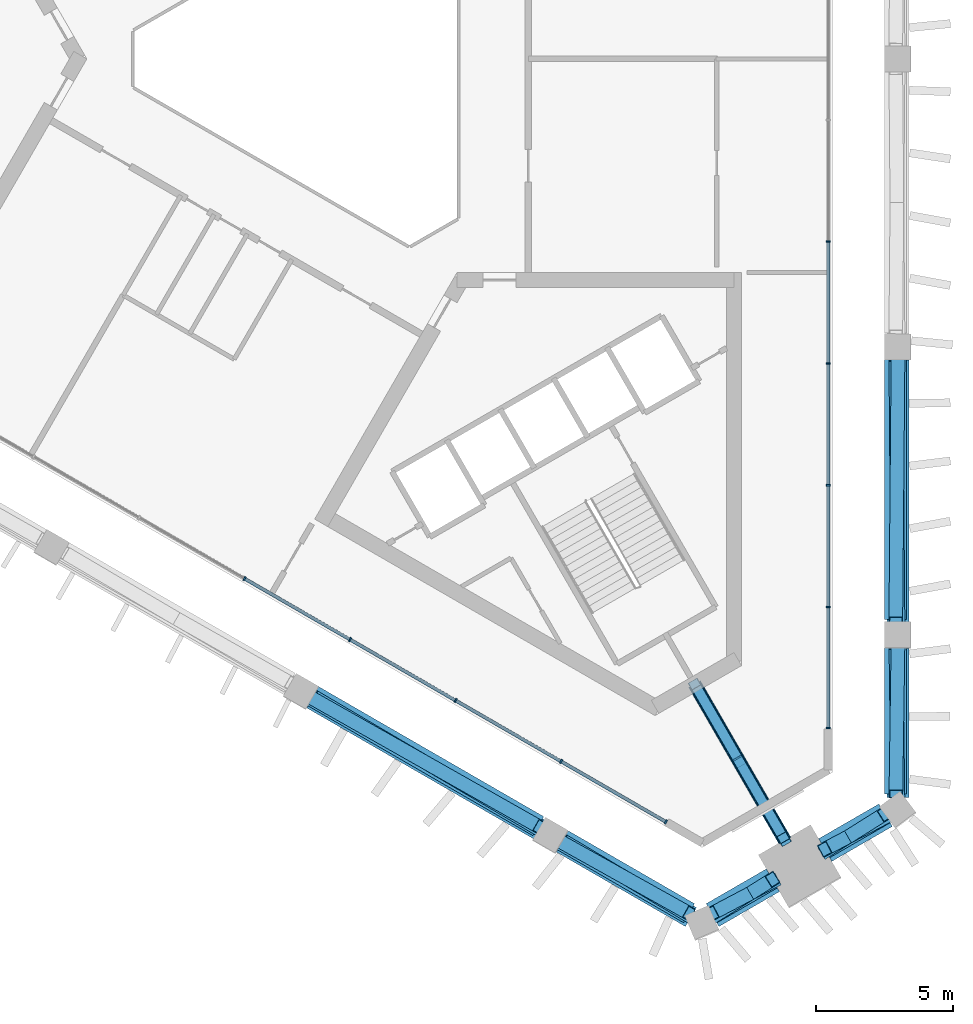
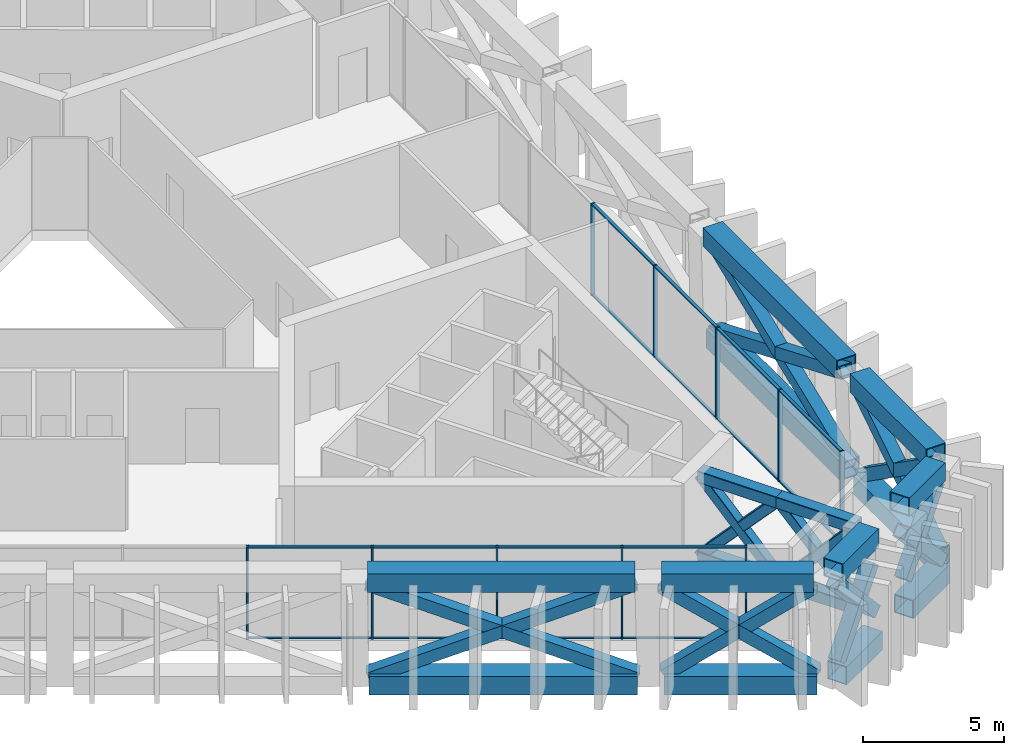
# One storey, part 3 of 15: 58 members, 2 elements without a shape of their own.
"""IFC4 building model written with IfcOpenShell, lengths in metres."""

from ifc_helpers import new_model, si_unit, direction, frame, origin, origin_2d, place, context, subcontext, project, spatial, rectangle, hollow_rectangle, extrude, material, layer, layer_set, material_profile, profile_set, type_object, element, aggregate, save


model = new_model("IFC4")

# Units and contexts
model_context = context("Model", 3, precision=1e-05, world=origin(), true_north=direction((0.0, 1.0)))
body_context = subcontext(model_context, "Body", "Model", "MODEL_VIEW")
ifc_project = project(units=[si_unit("LENGTHUNIT", "METRE"), si_unit("AREAUNIT", "SQUARE_METRE"), si_unit("VOLUMEUNIT", "CUBIC_METRE"), si_unit("PLANEANGLEUNIT", "RADIAN"), si_unit("MASSUNIT", "GRAM", prefix="KILO")], contexts=[model_context])

# Site, building, storey
site_placement = place(None, origin())
site = spatial("IfcSite", under=ifc_project, at=site_placement, CompositionType="ELEMENT")
building_placement = place(site_placement, origin())
building = spatial("IfcBuilding", under=site, at=building_placement, Name="Jabali Bay Hotel Tower and Convention Centre", CompositionType="ELEMENT")
storey_placement = place(building_placement, frame((0.0, 0.0, 201.39990234375)))
storey = spatial("IfcBuildingStorey", under=building, at=storey_placement, Name="L49", CompositionType="ELEMENT", Elevation=201.39990234375)

# Members
ifc_material_1 = material(Name="Steel Q420GJC", Category="steel")
ifc_material_profile_1 = material_profile(ifc_material_1, hollow_rectangle(XDim=0.5, YDim=0.5, WallThickness=0.030029296875, at=origin_2d()), Name="Belt brace 500x500x30")
ifc_profile_set_1 = profile_set([ifc_material_profile_1], Name="Steel Q420GJC")
member_type_1 = type_object("IfcMemberType", Name="Belt brace 500x500x30", PredefinedType="BRACE", material=ifc_profile_set_1)
member_1_placement = place(storey_placement, frame((74.222412109375, 56.6787109375, 0.20068359375), z_axis=(0.801696760656, -0.453782552089, 0.389054879642), x_axis=(0.492591587689, 0.870260609092, 0.0)))
element("IfcMember", 1, at=member_1_placement, inside=storey, type_object=member_type_1, Name="Belt brace T4 F2.4-F2.5 x1", PredefinedType="BRACE", context=body_context, shape_type="SweptSolid", body=[
    extrude(hollow_rectangle(XDim=0.5, YDim=0.5, WallThickness=0.030029296875, at=origin_2d()), origin(), (0.0, 0.0, 1.0), 10.278076171875),
])
member_2_placement = place(storey_placement, frame((82.50341796875, 51.897705078125, 0.197998046875), z_axis=(-0.795490457327, 0.468241818131, 0.38463558345), x_axis=(-0.507266594802, -0.861789186401, 0.0)))
element("IfcMember", 2, at=member_2_placement, inside=storey, type_object=member_type_1, Name="Belt brace T4 F2.4-F2.5 x2", PredefinedType="BRACE", context=body_context, shape_type="SweptSolid", body=[
    extrude(hollow_rectangle(XDim=0.5, YDim=0.5, WallThickness=0.030029296875, at=origin_2d()), origin(), (0.0, 0.0, 1.0), 10.41015625),
])
member_3_placement = place(storey_placement, frame((83.327392578125, 51.425048828125, 0.333984375), z_axis=(0.71423065892, -0.398947442213, 0.575078693928), x_axis=(0.48765232902, 0.873037917848, 0.0)))
element("IfcMember", 3, at=member_3_placement, inside=storey, type_object=member_type_1, Name="Belt brace T4 F2.5-V5 x1", PredefinedType="BRACE", context=body_context, shape_type="SweptSolid", body=[
    extrude(hollow_rectangle(XDim=0.5, YDim=0.5, WallThickness=0.030029296875, at=origin_2d()), origin(), (0.0, 0.0, 1.0), 6.48974609375),
])
member_4_placement = place(storey_placement, frame((88.035400390625, 48.706787109375, 0.322509765625), z_axis=(-0.710751922424, 0.423449210796, 0.561713869017), x_axis=(-0.511825276994, -0.859089567991, 0.0)))
element("IfcMember", 4, at=member_4_placement, inside=storey, type_object=member_type_1, Name="Belt brace T4 F2.5-V5 x2", PredefinedType="BRACE", context=body_context, shape_type="SweptSolid", body=[
    extrude(hollow_rectangle(XDim=0.5, YDim=0.5, WallThickness=0.030029296875, at=origin_2d()), origin(), (0.0, 0.0, 1.0), 6.68505859375),
])
member_5_placement = place(storey_placement, frame((88.845458984375, 48.71630859375, 0.50634765625), z_axis=(0.579379713275, 0.364164713086, 0.72917981979), x_axis=(-0.53215392597, 0.846647623911, 0.0)))
element("IfcMember", 5, at=member_5_placement, inside=storey, type_object=member_type_1, Name="Belt brace T4 V5-M2 x1", PredefinedType="BRACE", context=body_context, shape_type="SweptSolid", body=[
    extrude(hollow_rectangle(XDim=0.5, YDim=0.5, WallThickness=0.030029296875, at=origin_2d()), origin(), (0.0, 0.0, 1.0), 3.732177734375),
])
member_6_placement = place(storey_placement, frame((91.0439453125, 50.012939453125, 1.176025390625), z_axis=(-0.60406023233, -0.319063000039, 0.730280793752), x_axis=(0.467048750323, -0.88423156742, 0.0)))
element("IfcMember", 6, at=member_6_placement, inside=storey, type_object=member_type_1, Name="Belt brace T4 V5-M2 x2", PredefinedType="BRACE", context=body_context, shape_type="SweptSolid", body=[
    extrude(hollow_rectangle(XDim=0.5, YDim=0.5, WallThickness=0.030029296875, at=origin_2d()), origin(), (0.0, 0.0, 1.0), 3.719482421875),
])
member_7_placement = place(storey_placement, frame((92.94775390625, 51.112060546875, 1.176025390625), z_axis=(0.578299534748, 0.36358696061, 0.730324701886), x_axis=(-0.532260100968, 0.846580879135, 0.0)))
element("IfcMember", 7, at=member_7_placement, inside=storey, type_object=member_type_1, Name="Belt brace T4 M2-V0 x1", PredefinedType="BRACE", context=body_context, shape_type="SweptSolid", body=[
    extrude(hollow_rectangle(XDim=0.5, YDim=0.5, WallThickness=0.030029296875, at=origin_2d()), origin(), (0.0, 0.0, 1.0), 3.71923828125),
])
member_8_placement = place(storey_placement, frame((95.169677734375, 52.36767578125, 0.50634765625), z_axis=(-0.605036808845, -0.31969022433, 0.729197243831), x_axis=(0.467176026972, -0.884164328517, 0.0)))
element("IfcMember", 8, at=member_8_placement, inside=storey, type_object=member_type_1, Name="Belt brace T4 M2-V0 x2", PredefinedType="BRACE", context=body_context, shape_type="SweptSolid", body=[
    extrude(hollow_rectangle(XDim=0.5, YDim=0.5, WallThickness=0.030029296875, at=origin_2d()), origin(), (0.0, 0.0, 1.0), 3.732177734375),
])
member_9_placement = place(storey_placement, frame((95.5830078125, 53.064453125, 0.322509765625), z_axis=(-0.011321227141, 0.827253023193, 0.561715466614), x_axis=(-0.999906369081, -0.013684044429, 0.0)))
element("IfcMember", 9, at=member_9_placement, inside=storey, type_object=member_type_1, Name="Belt brace T4 V0-F0.1 x1", PredefinedType="BRACE", context=body_context, shape_type="SweptSolid", body=[
    extrude(hollow_rectangle(XDim=0.5, YDim=0.5, WallThickness=0.030029296875, at=origin_2d()), origin(), (0.0, 0.0, 1.0), 6.68505859375),
])
member_10_placement = place(storey_placement, frame((95.582763671875, 58.500732421875, 0.333984375), z_axis=(-0.01158690247, -0.81800521853, 0.575094084606), x_axis=(0.999899693931, -0.014163406261, 0.0)))
element("IfcMember", 10, at=member_10_placement, inside=storey, type_object=member_type_1, Name="Belt brace T4 V0-F0.1 x2", PredefinedType="BRACE", context=body_context, shape_type="SweptSolid", body=[
    extrude(hollow_rectangle(XDim=0.5, YDim=0.5, WallThickness=0.030029296875, at=origin_2d()), origin(), (0.0, 0.0, 1.0), 6.48974609375),
])
member_11_placement = place(storey_placement, frame((95.585693359375, 59.45068359375, 0.197998046875), z_axis=(-0.007762528307, 0.923037316115, 0.384632105023), x_axis=(-0.999964639789, -0.008409469137, 0.0)))
element("IfcMember", 11, at=member_11_placement, inside=storey, type_object=member_type_1, Name="Belt brace T4 F0.1-F0.2 x1", PredefinedType="BRACE", context=body_context, shape_type="SweptSolid", body=[
    extrude(hollow_rectangle(XDim=0.5, YDim=0.5, WallThickness=0.030029296875, at=origin_2d()), origin(), (0.0, 0.0, 1.0), 10.410400390625),
])
member_12_placement = place(storey_placement, frame((95.58544921875, 69.012939453125, 0.20068359375), z_axis=(-0.007838448709, -0.921183993425, 0.389048337587), x_axis=(0.999963799556, -0.008508794128, 0.0)))
element("IfcMember", 12, at=member_12_placement, inside=storey, type_object=member_type_1, Name="Belt brace T4 F0.1-F0.2 x2", PredefinedType="BRACE", context=body_context, shape_type="SweptSolid", body=[
    extrude(hollow_rectangle(XDim=0.5, YDim=0.5, WallThickness=0.030029296875, at=origin_2d()), origin(), (0.0, 0.0, 1.0), 10.2783203125),
])
ifc_material_profile_2 = material_profile(ifc_material_1, hollow_rectangle(XDim=0.800048828125, YDim=0.800048828125, WallThickness=0.0400390625, at=origin_2d()), Name="Belt chord 800x800x40")
ifc_profile_set_2 = profile_set([ifc_material_profile_2], Name="Steel Q420GJC")
member_type_2 = type_object("IfcMemberType", Name="Belt chord 800x800x40", PredefinedType="CHORD", material=ifc_profile_set_2)
member_13_placement = place(storey_placement, frame((74.22021484375, 56.67529296875, 0.0), z_axis=(0.866033376156, -0.499986191193, 0.0), x_axis=(0.499986191193, 0.866033376156, 0.0)))
element("IfcMember", 13, at=member_13_placement, inside=storey, type_object=member_type_2, Name="Belt chord T4 F2.4-F2.5", PredefinedType="CHORD", context=body_context, shape_type="SweptSolid", body=[
    extrude(hollow_rectangle(XDim=0.800048828125, YDim=0.800048828125, WallThickness=0.0400390625, at=origin_2d()), origin(), (0.0, 0.0, 1.0), 9.562255859375),
])
member_14_placement = place(storey_placement, frame((83.323974609375, 51.419189453125, 0.0), z_axis=(0.866037510713, -0.499979029598, 0.0), x_axis=(0.499979029598, 0.866037510713, 0.0)))
element("IfcMember", 14, at=member_14_placement, inside=storey, type_object=member_type_2, Name="Belt chord T4 F2.5-V5", PredefinedType="CHORD", context=body_context, shape_type="SweptSolid", body=[
    extrude(hollow_rectangle(XDim=0.800048828125, YDim=0.800048828125, WallThickness=0.0400390625, at=origin_2d()), origin(), (0.0, 0.0, 1.0), 5.436279296875),
])
member_15_placement = place(storey_placement, frame((88.854736328125, 48.701171875, 0.0), z_axis=(0.866043744811, 0.499968231064, 0.0), x_axis=(-0.499968231064, 0.866043744811, 0.0)))
element("IfcMember", 15, at=member_15_placement, inside=storey, type_object=member_type_2, Name="Belt chord T4 V5-M2", PredefinedType="CHORD", context=body_context, shape_type="SweptSolid", body=[
    extrude(hollow_rectangle(XDim=0.800048828125, YDim=0.800048828125, WallThickness=0.0400390625, at=origin_2d()), origin(), (0.0, 0.0, 1.0), 2.551025390625),
])
member_16_placement = place(storey_placement, frame((92.96923828125, 51.07666015625, 0.0), z_axis=(0.866019818373, 0.500009674092, 0.0), x_axis=(-0.500009674092, 0.866019818373, 0.0)))
element("IfcMember", 16, at=member_16_placement, inside=storey, type_object=member_type_2, Name="Belt chord T4 M2-V0", PredefinedType="CHORD", context=body_context, shape_type="SweptSolid", body=[
    extrude(hollow_rectangle(XDim=0.800048828125, YDim=0.800048828125, WallThickness=0.0400390625, at=origin_2d()), origin(), (0.0, 0.0, 1.0), 2.55078125),
])
member_17_placement = place(storey_placement, frame((95.589599609375, 53.064453125, 0.0), z_axis=(0.0, 1.0, 0.0), x_axis=(-1.0, 0.0, 0.0)))
element("IfcMember", 17, at=member_17_placement, inside=storey, type_object=member_type_2, Name="Belt chord T4 V0-F0.1", PredefinedType="CHORD", context=body_context, shape_type="SweptSolid", body=[
    extrude(hollow_rectangle(XDim=0.800048828125, YDim=0.800048828125, WallThickness=0.0400390625, at=origin_2d()), origin(), (0.0, 0.0, 1.0), 5.436279296875),
])
member_18_placement = place(storey_placement, frame((95.589599609375, 59.45068359375, 0.0), z_axis=(0.0, 1.0, 0.0), x_axis=(-1.0, 0.0, 0.0)))
element("IfcMember", 18, at=member_18_placement, inside=storey, type_object=member_type_2, Name="Belt chord T4 F0.1-F0.2", PredefinedType="CHORD", context=body_context, shape_type="SweptSolid", body=[
    extrude(hollow_rectangle(XDim=0.800048828125, YDim=0.800048828125, WallThickness=0.0400390625, at=origin_2d()), origin(), (0.0, 0.0, 1.0), 9.562255859375),
])
member_19_placement = place(storey_placement, frame((74.22412109375, 56.775634765625, 4.400146484375), z_axis=(0.866028777211, -0.499994157009, 0.0), x_axis=(0.499994157009, 0.866028777211, 0.0)))
element("IfcMember", 19, at=member_19_placement, inside=storey, type_object=member_type_2, Name="Belt chord T4 F2.4-F2.5", PredefinedType="CHORD", context=body_context, shape_type="SweptSolid", body=[
    extrude(hollow_rectangle(XDim=0.800048828125, YDim=0.800048828125, WallThickness=0.0400390625, at=origin_2d()), origin(), (0.0, 0.0, 1.0), 9.51513671875),
])
member_20_placement = place(storey_placement, frame((83.287353515625, 51.543212890625, 4.400146484375), z_axis=(0.866001200721, -0.500041918592, 0.0), x_axis=(0.500041918592, 0.866001200721, 0.0)))
element("IfcMember", 20, at=member_20_placement, inside=storey, type_object=member_type_2, Name="Belt chord T4 F2.5-V5", PredefinedType="CHORD", context=body_context, shape_type="SweptSolid", body=[
    extrude(hollow_rectangle(XDim=0.800048828125, YDim=0.800048828125, WallThickness=0.0400390625, at=origin_2d()), origin(), (0.0, 0.0, 1.0), 5.40234375),
])
for number, where, z_axis, x_axis, name in (
    (21, (88.78857421875, 48.841796875, 4.400146484375), (0.865996539853, 0.500049990464, 0.0), (-0.500049990464, 0.865996539853, 0.0), "Belt chord T4 V5-M2"),
    (22, (92.8916015625, 51.210693359375, 4.400146484375), (0.865996539853, 0.500049990464, 0.0), (-0.500049990464, 0.865996539853, 0.0), "Belt chord T4 M2-V0"),
):
    element("IfcMember", number, at=place(storey_placement, frame(where, z_axis=z_axis, x_axis=x_axis)), inside=storey, type_object=member_type_2, Name=name, PredefinedType="CHORD", context=body_context, shape_type="SweptSolid", body=[
        extrude(hollow_rectangle(XDim=0.800048828125, YDim=0.800048828125, WallThickness=0.0400390625, at=origin_2d()), origin(), (0.0, 0.0, 1.0), 2.537841796875),
    ])
member_21_placement = place(storey_placement, frame((95.500732421875, 53.192138671875, 4.400146484375), z_axis=(0.0, 1.0, 0.0), x_axis=(-1.0, 0.0, 0.0)))
element("IfcMember", 23, at=member_21_placement, inside=storey, type_object=member_type_2, Name="Belt chord T4 V0-F0.1", PredefinedType="CHORD", context=body_context, shape_type="SweptSolid", body=[
    extrude(hollow_rectangle(XDim=0.800048828125, YDim=0.800048828125, WallThickness=0.0400390625, at=origin_2d()), origin(), (0.0, 0.0, 1.0), 5.40234375),
])
member_22_placement = place(storey_placement, frame((95.500732421875, 59.544677734375, 4.400146484375), z_axis=(0.0, 1.0, 0.0), x_axis=(-1.0, 0.0, 0.0)))
element("IfcMember", 24, at=member_22_placement, inside=storey, type_object=member_type_2, Name="Belt chord T4 F0.1-F0.2", PredefinedType="CHORD", context=body_context, shape_type="SweptSolid", body=[
    extrude(hollow_rectangle(XDim=0.800048828125, YDim=0.800048828125, WallThickness=0.0400390625, at=origin_2d()), origin(), (0.0, 0.0, 1.0), 9.51513671875),
])

# Curtain wall, members
ifc_material_2 = material(Name="Aluminium and glass", Category="aluminium")
ifc_layer = layer(ifc_material_2, 0.159912109375)
ifc_layer_set = layer_set([ifc_layer], Name="Aluminium and glass")
curtain_wall_type = type_object("IfcCurtainWallType", Name="CW3 curtain wall", PredefinedType="NOTDEFINED", material=ifc_layer_set)
curtain_wall_1_placement = place(storey_placement, origin())
curtain_wall_1 = element("IfcCurtainWall", 25, at=curtain_wall_1_placement, inside=storey, type_object=curtain_wall_type, Name="CW3 curtain wall east face L49", PredefinedType="NOTDEFINED")
ifc_material_3 = material(Name="Aluminium", Category="aluminium")
ifc_material_profile_3 = material_profile(ifc_material_3, rectangle(XDim=0.159912109375, YDim=0.06005859375, at=origin_2d()), Name="CW3 mullion 60 x 160")
ifc_profile_set_3 = profile_set([ifc_material_profile_3], Name="Aluminium")
member_type_3 = type_object("IfcMemberType", Name="CW3 mullion 60 x 160", PredefinedType="MULLION", material=ifc_profile_set_3)
member_23_placement = place(storey_placement, frame((93.03955078125, 73.3349609375, 0.0), z_axis=(0.0, 0.0, 1.0), x_axis=(1.0, 0.0, 0.0)))
member_23 = element("IfcMember", 26, at=member_23_placement, type_object=member_type_3, Name="CW3 mullion 8", PredefinedType="MULLION", context=body_context, shape_type="SweptSolid", body=[
    extrude(rectangle(XDim=0.159912109375, YDim=0.06005859375, at=origin_2d()), origin(), (0.0, 0.0, 1.0), 4.0),
])
member_24_placement = place(storey_placement, frame((93.03955078125, 68.8916015625, 0.0), z_axis=(0.0, 0.0, 1.0), x_axis=(1.0, 0.0, 0.0)))
member_24 = element("IfcMember", 27, at=member_24_placement, type_object=member_type_3, Name="CW3 mullion 9", PredefinedType="MULLION", context=body_context, shape_type="SweptSolid", body=[
    extrude(rectangle(XDim=0.159912109375, YDim=0.06005859375, at=origin_2d()), origin(), (0.0, 0.0, 1.0), 4.0),
])
member_25_placement = place(storey_placement, frame((93.03955078125, 64.448486328125, 0.0), z_axis=(0.0, 0.0, 1.0), x_axis=(1.0, 0.0, 0.0)))
member_25 = element("IfcMember", 28, at=member_25_placement, type_object=member_type_3, Name="CW3 mullion 10", PredefinedType="MULLION", context=body_context, shape_type="SweptSolid", body=[
    extrude(rectangle(XDim=0.159912109375, YDim=0.06005859375, at=origin_2d()), origin(), (0.0, 0.0, 1.0), 4.0),
])
member_26_placement = place(storey_placement, frame((93.03955078125, 60.005126953125, 0.0), z_axis=(0.0, 0.0, 1.0), x_axis=(1.0, 0.0, 0.0)))
member_26 = element("IfcMember", 29, at=member_26_placement, type_object=member_type_3, Name="CW3 mullion 11", PredefinedType="MULLION", context=body_context, shape_type="SweptSolid", body=[
    extrude(rectangle(XDim=0.159912109375, YDim=0.06005859375, at=origin_2d()), origin(), (0.0, 0.0, 1.0), 4.0),
])
member_27_placement = place(storey_placement, frame((93.03955078125, 55.591796875, 0.0), z_axis=(0.0, 0.0, 1.0), x_axis=(1.0, 0.0, 0.0)))
member_27 = element("IfcMember", 30, at=member_27_placement, type_object=member_type_3, Name="CW3 mullion 12", PredefinedType="MULLION", context=body_context, shape_type="SweptSolid", body=[
    extrude(rectangle(XDim=0.159912109375, YDim=0.06005859375, at=origin_2d()), origin(), (0.0, 0.0, 1.0), 4.0),
])

curtain_wall_2_placement = place(storey_placement, origin())
curtain_wall_2 = element("IfcCurtainWall", 31, at=curtain_wall_2_placement, inside=storey, type_object=curtain_wall_type, Name="CW3 curtain wall south-west face L49", PredefinedType="NOTDEFINED")
member_28_placement = place(storey_placement, frame((87.118408203125, 52.173095703125, 0.0), z_axis=(0.0, 0.0, 1.0), x_axis=(-0.500000002025, -0.866025402615, 0.0)))
member_28 = element("IfcMember", 32, at=member_28_placement, type_object=member_type_3, Name="CW3 mullion 1", PredefinedType="MULLION", context=body_context, shape_type="SweptSolid", body=[
    extrude(rectangle(XDim=0.159912109375, YDim=0.06005859375, at=origin_2d()), origin(), (0.0, 0.0, 1.0), 4.0),
])
member_29_placement = place(storey_placement, frame((83.29638671875, 54.3798828125, 0.0), z_axis=(0.0, 0.0, 1.0), x_axis=(-0.500000002025, -0.866025402615, 0.0)))
member_29 = element("IfcMember", 33, at=member_29_placement, type_object=member_type_3, Name="CW3 mullion 2", PredefinedType="MULLION", context=body_context, shape_type="SweptSolid", body=[
    extrude(rectangle(XDim=0.159912109375, YDim=0.06005859375, at=origin_2d()), origin(), (0.0, 0.0, 1.0), 4.0),
])
member_30_placement = place(storey_placement, frame((79.4482421875, 56.601318359375, 0.0), z_axis=(0.0, 0.0, 1.0), x_axis=(-0.500000002025, -0.866025402615, 0.0)))
member_30 = element("IfcMember", 34, at=member_30_placement, type_object=member_type_3, Name="CW3 mullion 3", PredefinedType="MULLION", context=body_context, shape_type="SweptSolid", body=[
    extrude(rectangle(XDim=0.159912109375, YDim=0.06005859375, at=origin_2d()), origin(), (0.0, 0.0, 1.0), 4.0),
])
member_31_placement = place(storey_placement, frame((75.600341796875, 58.822998046875, 0.0), z_axis=(0.0, 0.0, 1.0), x_axis=(-0.500000002025, -0.866025402615, 0.0)))
member_31 = element("IfcMember", 35, at=member_31_placement, type_object=member_type_3, Name="CW3 mullion 4", PredefinedType="MULLION", context=body_context, shape_type="SweptSolid", body=[
    extrude(rectangle(XDim=0.159912109375, YDim=0.06005859375, at=origin_2d()), origin(), (0.0, 0.0, 1.0), 4.0),
])
member_32_placement = place(storey_placement, frame((71.752197265625, 61.044677734375, 0.0), z_axis=(0.0, 0.0, 1.0), x_axis=(-0.500000002025, -0.866025402615, 0.0)))
member_32 = element("IfcMember", 36, at=member_32_placement, type_object=member_type_3, Name="CW3 mullion 5", PredefinedType="MULLION", context=body_context, shape_type="SweptSolid", body=[
    extrude(rectangle(XDim=0.159912109375, YDim=0.06005859375, at=origin_2d()), origin(), (0.0, 0.0, 1.0), 4.0),
])

# Member
ifc_material_profile_4 = material_profile(ifc_material_3, rectangle(XDim=0.1201171875, YDim=0.06005859375, at=origin_2d()), Name="CW3 transom 60 x 120")
ifc_profile_set_4 = profile_set([ifc_material_profile_4], Name="Aluminium")
member_type_4 = type_object("IfcMemberType", Name="CW3 transom 60 x 120", PredefinedType="USERDEFINED", material=ifc_profile_set_4)
member_33_placement = place(storey_placement, frame((93.03955078125, 73.304931640625, 0.030029296875), z_axis=(0.0, -1.0, 0.0), x_axis=(1.0, 0.0, 0.0)))
member_33 = element("IfcMember", 37, at=member_33_placement, type_object=member_type_4, Name="CW3 transom 8.1", ObjectType="TRANSOM", PredefinedType="USERDEFINED", context=body_context, shape_type="SweptSolid", body=[
    extrude(rectangle(XDim=0.1201171875, YDim=0.06005859375, at=origin_2d()), origin(), (0.0, 0.0, 1.0), 4.38330078125),
])

member_34_placement = place(storey_placement, frame((93.03955078125, 73.304931640625, 3.97021484375), z_axis=(0.0, -1.0, 0.0), x_axis=(1.0, 0.0, 0.0)))
member_34 = element("IfcMember", 38, at=member_34_placement, type_object=member_type_4, Name="CW3 transom 8.2", ObjectType="TRANSOM", PredefinedType="USERDEFINED", context=body_context, shape_type="SweptSolid", body=[
    extrude(rectangle(XDim=0.1201171875, YDim=0.06005859375, at=origin_2d()), origin(), (0.0, 0.0, 1.0), 4.38330078125),
])

member_35_placement = place(storey_placement, frame((93.03955078125, 68.86181640625, 0.030029296875), z_axis=(0.0, -1.0, 0.0), x_axis=(1.0, 0.0, 0.0)))
member_35 = element("IfcMember", 39, at=member_35_placement, type_object=member_type_4, Name="CW3 transom 9.1", ObjectType="TRANSOM", PredefinedType="USERDEFINED", context=body_context, shape_type="SweptSolid", body=[
    extrude(rectangle(XDim=0.1201171875, YDim=0.06005859375, at=origin_2d()), origin(), (0.0, 0.0, 1.0), 4.383544921875),
])

member_36_placement = place(storey_placement, frame((93.03955078125, 68.86181640625, 3.97021484375), z_axis=(0.0, -1.0, 0.0), x_axis=(1.0, 0.0, 0.0)))
member_36 = element("IfcMember", 40, at=member_36_placement, type_object=member_type_4, Name="CW3 transom 9.2", ObjectType="TRANSOM", PredefinedType="USERDEFINED", context=body_context, shape_type="SweptSolid", body=[
    extrude(rectangle(XDim=0.1201171875, YDim=0.06005859375, at=origin_2d()), origin(), (0.0, 0.0, 1.0), 4.383544921875),
])

member_37_placement = place(storey_placement, frame((93.03955078125, 64.41845703125, 0.030029296875), z_axis=(0.0, -1.0, 0.0), x_axis=(1.0, 0.0, 0.0)))
member_37 = element("IfcMember", 41, at=member_37_placement, type_object=member_type_4, Name="CW3 transom 10.1", ObjectType="TRANSOM", PredefinedType="USERDEFINED", context=body_context, shape_type="SweptSolid", body=[
    extrude(rectangle(XDim=0.1201171875, YDim=0.06005859375, at=origin_2d()), origin(), (0.0, 0.0, 1.0), 4.38330078125),
])

member_38_placement = place(storey_placement, frame((93.03955078125, 64.41845703125, 3.97021484375), z_axis=(0.0, -1.0, 0.0), x_axis=(1.0, 0.0, 0.0)))
member_38 = element("IfcMember", 42, at=member_38_placement, type_object=member_type_4, Name="CW3 transom 10.2", ObjectType="TRANSOM", PredefinedType="USERDEFINED", context=body_context, shape_type="SweptSolid", body=[
    extrude(rectangle(XDim=0.1201171875, YDim=0.06005859375, at=origin_2d()), origin(), (0.0, 0.0, 1.0), 4.38330078125),
])

member_39_placement = place(storey_placement, frame((93.03955078125, 59.97509765625, 0.030029296875), z_axis=(0.0, -1.0, 0.0), x_axis=(1.0, 0.0, 0.0)))
member_39 = element("IfcMember", 43, at=member_39_placement, type_object=member_type_4, Name="CW3 transom 11.1", ObjectType="TRANSOM", PredefinedType="USERDEFINED", context=body_context, shape_type="SweptSolid", body=[
    extrude(rectangle(XDim=0.1201171875, YDim=0.06005859375, at=origin_2d()), origin(), (0.0, 0.0, 1.0), 4.353271484375),
])

member_40_placement = place(storey_placement, frame((93.03955078125, 59.97509765625, 3.97021484375), z_axis=(0.0, -1.0, 0.0), x_axis=(1.0, 0.0, 0.0)))
member_40 = element("IfcMember", 44, at=member_40_placement, type_object=member_type_4, Name="CW3 transom 11.2", ObjectType="TRANSOM", PredefinedType="USERDEFINED", context=body_context, shape_type="SweptSolid", body=[
    extrude(rectangle(XDim=0.1201171875, YDim=0.06005859375, at=origin_2d()), origin(), (0.0, 0.0, 1.0), 4.353271484375),
])

aggregate(curtain_wall_1, [member_23, member_24, member_25, member_26, member_27, member_33, member_34, member_35, member_36, member_37, member_38, member_39, member_40])

member_41_placement = place(storey_placement, frame((87.09228515625, 52.18798828125, 0.030029296875), z_axis=(-0.86601187378, 0.500023433922, 0.0), x_axis=(-0.500023433922, -0.86601187378, 0.0)))
member_41 = element("IfcMember", 45, at=member_41_placement, type_object=member_type_4, Name="CW3 transom 1.1", ObjectType="TRANSOM", PredefinedType="USERDEFINED", context=body_context, shape_type="SweptSolid", body=[
    extrude(rectangle(XDim=0.1201171875, YDim=0.06005859375, at=origin_2d()), origin(), (0.0, 0.0, 1.0), 4.353271484375),
])

member_42_placement = place(storey_placement, frame((87.09228515625, 52.18798828125, 3.97021484375), z_axis=(-0.86601187378, 0.500023433922, 0.0), x_axis=(-0.500023433922, -0.86601187378, 0.0)))
member_42 = element("IfcMember", 46, at=member_42_placement, type_object=member_type_4, Name="CW3 transom 1.2", ObjectType="TRANSOM", PredefinedType="USERDEFINED", context=body_context, shape_type="SweptSolid", body=[
    extrude(rectangle(XDim=0.1201171875, YDim=0.06005859375, at=origin_2d()), origin(), (0.0, 0.0, 1.0), 4.353271484375),
])

member_43_placement = place(storey_placement, frame((83.270263671875, 54.394775390625, 0.030029296875), z_axis=(-0.866016768837, 0.500014955869, 0.0), x_axis=(-0.500014955869, -0.866016768837, 0.0)))
member_43 = element("IfcMember", 47, at=member_43_placement, type_object=member_type_4, Name="CW3 transom 2.1", ObjectType="TRANSOM", PredefinedType="USERDEFINED", context=body_context, shape_type="SweptSolid", body=[
    extrude(rectangle(XDim=0.1201171875, YDim=0.06005859375, at=origin_2d()), origin(), (0.0, 0.0, 1.0), 4.383056640625),
])

member_44_placement = place(storey_placement, frame((83.270263671875, 54.394775390625, 3.97021484375), z_axis=(-0.866016768837, 0.500014955869, 0.0), x_axis=(-0.500014955869, -0.866016768837, 0.0)))
member_44 = element("IfcMember", 48, at=member_44_placement, type_object=member_type_4, Name="CW3 transom 2.2", ObjectType="TRANSOM", PredefinedType="USERDEFINED", context=body_context, shape_type="SweptSolid", body=[
    extrude(rectangle(XDim=0.1201171875, YDim=0.06005859375, at=origin_2d()), origin(), (0.0, 0.0, 1.0), 4.383056640625),
])

member_45_placement = place(storey_placement, frame((79.42236328125, 56.616455078125, 0.030029296875), z_axis=(-0.866030693553, 0.49999083774, 0.0), x_axis=(-0.49999083774, -0.866030693553, 0.0)))
member_45 = element("IfcMember", 49, at=member_45_placement, type_object=member_type_4, Name="CW3 transom 3.1", ObjectType="TRANSOM", PredefinedType="USERDEFINED", context=body_context, shape_type="SweptSolid", body=[
    extrude(rectangle(XDim=0.1201171875, YDim=0.06005859375, at=origin_2d()), origin(), (0.0, 0.0, 1.0), 4.38330078125),
])

member_46_placement = place(storey_placement, frame((79.42236328125, 56.616455078125, 3.97021484375), z_axis=(-0.866030693553, 0.49999083774, 0.0), x_axis=(-0.49999083774, -0.866030693553, 0.0)))
member_46 = element("IfcMember", 50, at=member_46_placement, type_object=member_type_4, Name="CW3 transom 3.2", ObjectType="TRANSOM", PredefinedType="USERDEFINED", context=body_context, shape_type="SweptSolid", body=[
    extrude(rectangle(XDim=0.1201171875, YDim=0.06005859375, at=origin_2d()), origin(), (0.0, 0.0, 1.0), 4.38330078125),
])

member_47_placement = place(storey_placement, frame((75.57421875, 58.838134765625, 0.030029296875), z_axis=(-0.866016768837, 0.500014955869, 0.0), x_axis=(-0.500014955869, -0.866016768837, 0.0)))
member_47 = element("IfcMember", 51, at=member_47_placement, type_object=member_type_4, Name="CW3 transom 4.1", ObjectType="TRANSOM", PredefinedType="USERDEFINED", context=body_context, shape_type="SweptSolid", body=[
    extrude(rectangle(XDim=0.1201171875, YDim=0.06005859375, at=origin_2d()), origin(), (0.0, 0.0, 1.0), 4.383056640625),
])

member_48_placement = place(storey_placement, frame((75.57421875, 58.838134765625, 3.97021484375), z_axis=(-0.866016768837, 0.500014955869, 0.0), x_axis=(-0.500014955869, -0.866016768837, 0.0)))
member_48 = element("IfcMember", 52, at=member_48_placement, type_object=member_type_4, Name="CW3 transom 4.2", ObjectType="TRANSOM", PredefinedType="USERDEFINED", context=body_context, shape_type="SweptSolid", body=[
    extrude(rectangle(XDim=0.1201171875, YDim=0.06005859375, at=origin_2d()), origin(), (0.0, 0.0, 1.0), 4.383056640625),
])

aggregate(curtain_wall_2, [member_28, member_29, member_30, member_31, member_32, member_41, member_42, member_43, member_44, member_45, member_46, member_47, member_48])

# Members
ifc_material_profile_5 = material_profile(ifc_material_1, hollow_rectangle(XDim=0.39990234375, YDim=0.39990234375, WallThickness=0.011962890625, InnerFilletRadius=0.01806640625, OuterFilletRadius=0.030029296875, at=origin_2d()), Name="Outrigger brace 400x400x12")
ifc_profile_set_5 = profile_set([ifc_material_profile_5], Name="Steel Q420GJC")
member_type_5 = type_object("IfcMemberType", Name="Outrigger brace 400x400x12", PredefinedType="BRACE", material=ifc_profile_set_5)
member_49_placement = place(storey_placement, frame((88.1640625, 57.19921875, 0.25), z_axis=(0.339455080054, -0.587951768108, 0.734222695784), x_axis=(0.866024786089, 0.500001069878, 0.0)))
element("IfcMember", 53, at=member_49_placement, inside=storey, type_object=member_type_5, Name="Outrigger brace T4 3.1x1", PredefinedType="BRACE", context=body_context, shape_type="SweptSolid", body=[
    extrude(hollow_rectangle(XDim=0.39990234375, YDim=0.39990234375, WallThickness=0.011962890625, InnerFilletRadius=0.01806640625, OuterFilletRadius=0.030029296875, at=origin_2d()), origin(), (0.0, 0.0, 1.0), 4.766845703125),
])
member_50_placement = place(storey_placement, frame((89.81298828125, 54.343017578125, 0.25), z_axis=(-0.3428806268, 0.593923667891, 0.727796367457), x_axis=(-0.866038891988, -0.499976637019, 0.0)))
element("IfcMember", 54, at=member_50_placement, inside=storey, type_object=member_type_5, Name="Outrigger brace T4 3.1x2", PredefinedType="BRACE", context=body_context, shape_type="SweptSolid", body=[
    extrude(hollow_rectangle(XDim=0.39990234375, YDim=0.39990234375, WallThickness=0.011962890625, InnerFilletRadius=0.01806640625, OuterFilletRadius=0.030029296875, at=origin_2d()), origin(), (0.0, 0.0, 1.0), 4.80908203125),
])
member_51_placement = place(storey_placement, frame((89.81298828125, 54.343017578125, 0.25), z_axis=(0.335927805855, -0.581854652344, 0.740673796484), x_axis=(0.866029357279, 0.499993152284, 0.0)))
element("IfcMember", 55, at=member_51_placement, inside=storey, type_object=member_type_5, Name="Outrigger brace T4 3.2x1", PredefinedType="BRACE", context=body_context, shape_type="SweptSolid", body=[
    extrude(hollow_rectangle(XDim=0.39990234375, YDim=0.39990234375, WallThickness=0.011962890625, InnerFilletRadius=0.01806640625, OuterFilletRadius=0.030029296875, at=origin_2d()), origin(), (0.0, 0.0, 1.0), 4.725341796875),
])
member_52_placement = place(storey_placement, frame((91.462158203125, 51.48681640625, 0.25), z_axis=(-0.346261106421, 0.599729671025, 0.721406659155), x_axis=(-0.866021014662, -0.500007602105, 0.0)))
element("IfcMember", 56, at=member_52_placement, inside=storey, type_object=member_type_5, Name="Outrigger brace T4 3.2x2", PredefinedType="BRACE", context=body_context, shape_type="SweptSolid", body=[
    extrude(hollow_rectangle(XDim=0.39990234375, YDim=0.39990234375, WallThickness=0.011962890625, InnerFilletRadius=0.01806640625, OuterFilletRadius=0.030029296875, at=origin_2d()), origin(), (0.0, 0.0, 1.0), 4.8515625),
])
ifc_material_profile_6 = material_profile(ifc_material_1, hollow_rectangle(XDim=0.5, YDim=0.5, WallThickness=0.01611328125, InnerFilletRadius=0.02392578125, OuterFilletRadius=0.0400390625, at=origin_2d()), Name="Outrigger chord 500x500x16")
ifc_profile_set_6 = profile_set([ifc_material_profile_6], Name="Steel Q420GJC")
member_type_6 = type_object("IfcMemberType", Name="Outrigger chord 500x500x16", PredefinedType="CHORD", material=ifc_profile_set_6)
for number, where, z_axis, x_axis, name in (
    (57, (88.1640625, 57.19921875, 0.25), (0.499976637019, -0.866038891988, 0.0), (0.866038891988, 0.499976637019, 0.0), "Outrigger chord T4 3.lo1"),
    (58, (89.81298828125, 54.343017578125, 0.25), (0.500032155725, -0.866006837872, 0.0), (0.866006837872, 0.500032155725, 0.0), "Outrigger chord T4 3.lo2"),
):
    element("IfcMember", number, at=place(storey_placement, frame(where, z_axis=z_axis, x_axis=x_axis)), inside=storey, type_object=member_type_6, Name=name, PredefinedType="CHORD", context=body_context, shape_type="SweptSolid", body=[
        extrude(hollow_rectangle(XDim=0.5, YDim=0.5, WallThickness=0.01611328125, InnerFilletRadius=0.02392578125, OuterFilletRadius=0.0400390625, at=origin_2d()), origin(), (0.0, 0.0, 1.0), 3.298095703125),
    ])
member_53_placement = place(storey_placement, frame((88.1640625, 57.19921875, 3.75), z_axis=(0.500001069878, -0.866024786089, 0.0), x_axis=(0.866024786089, 0.500001069878, 0.0)))
element("IfcMember", 59, at=member_53_placement, inside=storey, type_object=member_type_6, Name="Outrigger chord T4 3.hi1", PredefinedType="CHORD", context=body_context, shape_type="SweptSolid", body=[
    extrude(hollow_rectangle(XDim=0.5, YDim=0.5, WallThickness=0.01611328125, InnerFilletRadius=0.02392578125, OuterFilletRadius=0.0400390625, at=origin_2d()), origin(), (0.0, 0.0, 1.0), 3.236328125),
])
member_54_placement = place(storey_placement, frame((89.7822265625, 54.396484375, 3.75), z_axis=(0.499968406128, -0.866043643747, 0.0), x_axis=(0.866043643747, 0.499968406128, 0.0)))
element("IfcMember", 60, at=member_54_placement, inside=storey, type_object=member_type_6, Name="Outrigger chord T4 3.hi2", PredefinedType="CHORD", context=body_context, shape_type="SweptSolid", body=[
    extrude(hollow_rectangle(XDim=0.5, YDim=0.5, WallThickness=0.01611328125, InnerFilletRadius=0.02392578125, OuterFilletRadius=0.0400390625, at=origin_2d()), origin(), (0.0, 0.0, 1.0), 3.236572265625),
])

save(model, "model.ifc")
